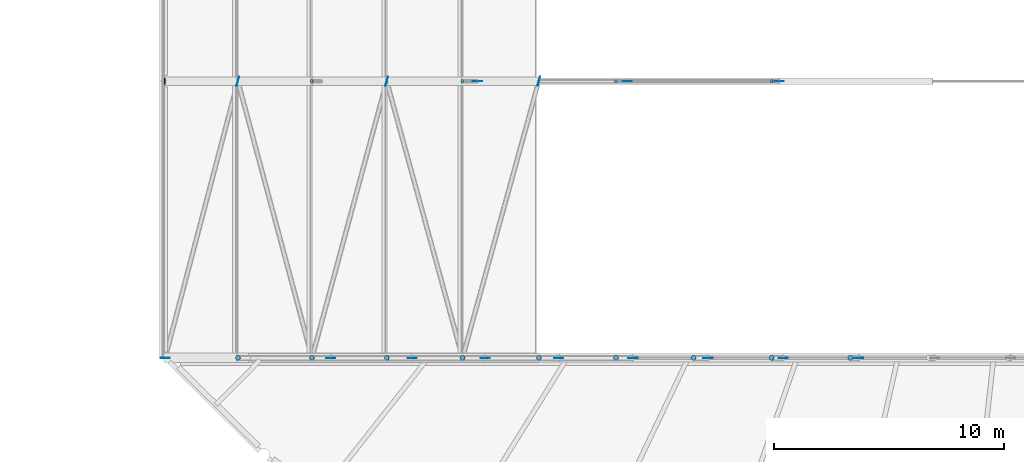
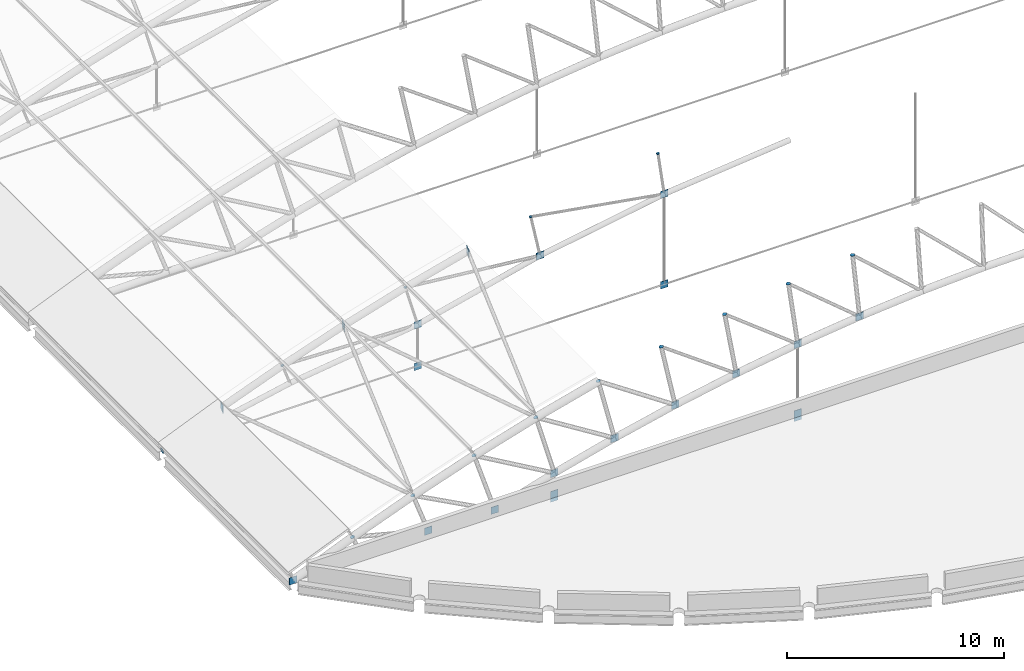
# One storey, part 263 of 321: 35 discrete accessories.
"""IFC4 building model written with IfcOpenShell, lengths in metres."""

import ifcopenshell
import ifcopenshell.guid

model = None  # the IFC model being written
_history = None  # IfcOwnerHistory: only IFC2X3 demands one
_inside = {}  # id of a spatial element -> (the spatial element, [elements in it])
_under = {}  # id of a project, library or spatial element -> (it, [spatial elements below it])
_declared = {}  # id of a project -> (the project, [libraries it declares])
_typed = {}  # id of a type object -> (the type object, [elements of that type])
_made_of = {}  # id of a material, layer set ... -> (it, [elements and type objects made of it])


def new_model(schema):
    """Start an empty IFC model of exactly this schema.

    Asked for "IFC4X3", IfcOpenShell would pick the latest addendum, in which some entities
    have other attributes; the version numbers below select the first issue.
    IFC2X3 requires an IfcOwnerHistory on every rooted entity: one is made here for all.
    """
    global model, _history
    if schema == "IFC4X3":
        model = ifcopenshell.file(schema_version=(4, 3, 0, 0))
    else:
        model = ifcopenshell.file(schema=schema)
    _inside.clear()
    _under.clear()
    _declared.clear()
    _typed.clear()
    _made_of.clear()
    _history = None
    if model.schema == "IFC2X3":
        org = make("IfcOrganization", Name="unknown")
        user = make(
            "IfcPersonAndOrganization",
            ThePerson=make("IfcPerson", FamilyName="unknown"),
            TheOrganization=org,
        )
        app = make(
            "IfcApplication",
            ApplicationDeveloper=org,
            Version="unknown",
            ApplicationFullName="unknown",
            ApplicationIdentifier="unknown",
        )
        _history = make(
            "IfcOwnerHistory",
            OwningUser=user,
            OwningApplication=app,
            ChangeAction="ADDED",
            CreationDate=0,
        )
    return model


def make(cls, **values):
    """One entity of the class cls with the attributes given. An attribute that is None is left unset."""
    return model.create_entity(
        cls, **{name: value for name, value in values.items() if value is not None}
    )


def rooted(cls, **values):
    """An entity with a GlobalId (a new one), such as an element, a storey or a relation."""
    return make(cls, GlobalId=ifcopenshell.guid.new(), OwnerHistory=_history, **values)


def si_unit(unit_type, name, prefix=None):
    """IfcSIUnit, for example si_unit("LENGTHUNIT", "METRE", prefix="MILLI")."""
    return make("IfcSIUnit", UnitType=unit_type, Prefix=prefix, Name=name)


def assignment(units):
    """IfcUnitAssignment: the units of a project."""
    return None if units is None else make("IfcUnitAssignment", Units=units)


def point(xyz):
    """IfcCartesianPoint."""
    return None if xyz is None else make("IfcCartesianPoint", Coordinates=xyz)


def direction(xyz):
    """IfcDirection."""
    return None if xyz is None else make("IfcDirection", DirectionRatios=xyz)


def frame(location, z_axis=None, x_axis=None):
    """IfcAxis2Placement3D, a coordinate frame: its origin and axes. An axis left out is left unset."""
    return make(
        "IfcAxis2Placement3D",
        Location=point(location),
        Axis=direction(z_axis),
        RefDirection=direction(x_axis),
    )


def frame_2d(location, x_axis=None):
    """IfcAxis2Placement2D, a coordinate frame in the plane: its origin and x axis."""
    return make(
        "IfcAxis2Placement2D", Location=point(location), RefDirection=direction(x_axis)
    )


def origin():
    """The frame at (0, 0, 0) with its axes left unset."""
    return frame((0.0, 0.0, 0.0))


def origin_2d():
    """The frame at (0, 0) in the plane with its x axis left unset."""
    return frame_2d((0.0, 0.0))


def place(relative_to, where):
    """IfcLocalPlacement: puts the frame where relative to a parent placement (None: the world)."""
    return make(
        "IfcLocalPlacement", PlacementRelTo=relative_to, RelativePlacement=where
    )


def context(
    kind, dimensions, precision=None, world=None, true_north=None, identifier=None
):
    """IfcGeometricRepresentationContext, for example the 3D "Model" context."""
    return make(
        "IfcGeometricRepresentationContext",
        ContextIdentifier=identifier,
        ContextType=kind,
        CoordinateSpaceDimension=dimensions,
        Precision=precision,
        WorldCoordinateSystem=world,
        TrueNorth=true_north,
    )


def subcontext(parent, identifier, kind, view, scale=None):
    """IfcGeometricRepresentationSubContext, for example "Body" below "Model"."""
    return make(
        "IfcGeometricRepresentationSubContext",
        ContextIdentifier=identifier,
        ContextType=kind,
        ParentContext=parent,
        TargetScale=scale,
        TargetView=view,
    )


def project(units=None, contexts=None):
    """IfcProject with its units and contexts."""
    return rooted(
        "IfcProject",
        Name="project",
        RepresentationContexts=contexts,
        UnitsInContext=assignment(units),
    )


def spatial(cls, under=None, at=None, **own):
    """A site, building, storey or space (cls), placed at a placement, below another one or the project."""
    s = rooted(cls, ObjectPlacement=at, **own)
    if under is not None:
        _under.setdefault(under.id(), (under, []))[1].append(s)
    return s


def profile(cls, at=None, kind="AREA", **sizes):
    """A parametric profile (cls). Its sizes go by their IFC names, for example OverallWidth=200.0."""
    return make(cls, ProfileType=kind, Position=at, **sizes)


def rectangle(**sizes):
    """IfcRectangleProfileDef."""
    return profile("IfcRectangleProfileDef", **sizes)


def circle(**sizes):
    """IfcCircleProfileDef."""
    return profile("IfcCircleProfileDef", **sizes)


def extrude(swept, where, along, depth):
    """IfcExtrudedAreaSolid: the profile swept, set in the frame where, extruded along a direction by depth."""
    return make(
        "IfcExtrudedAreaSolid",
        SweptArea=swept,
        Position=where,
        ExtrudedDirection=direction(along),
        Depth=depth,
    )


def shape(context_of_items, identifier, shape_type, items):
    """IfcShapeRepresentation: the items that make up one representation, for example the "Body"."""
    return make(
        "IfcShapeRepresentation",
        ContextOfItems=context_of_items,
        RepresentationIdentifier=identifier,
        RepresentationType=shape_type,
        Items=items,
    )


def material(Name=None, Category=None):
    """IfcMaterial."""
    return make("IfcMaterial", Name=Name, Category=Category)


def material_profile(
    of_material, cross_section, Name=None, Category=None, Priority=None
):
    """IfcMaterialProfile: a cross section and its material."""
    return make(
        "IfcMaterialProfile",
        Name=Name,
        Material=of_material,
        Profile=cross_section,
        Priority=Priority,
        Category=Category,
    )


def profile_set(profiles, Name=None, composite=None):
    """IfcMaterialProfileSet."""
    return make(
        "IfcMaterialProfileSet",
        Name=Name,
        MaterialProfiles=profiles,
        CompositeProfile=composite,
    )


def made_of(thing, what):
    """Note that an element or type object is made of a material, layer set ...; save() writes the relation."""
    if what is not None:
        _made_of.setdefault(what.id(), (what, []))[1].append(thing)
    return thing


def type_object(cls, material=None, **own):
    """A type object (cls), such as IfcWallType, which elements share."""
    return made_of(rooted(cls, **own), material)


def element(
    cls,
    number,
    at=None,
    inside=None,
    cuts=None,
    type_object=None,
    material=None,
    context=None,
    identifier="Body",
    shape_type=None,
    held_by="IfcProductDefinitionShape",
    body=None,
    shapes=None,
    **own,
):
    """One element of the class cls, such as IfcWall. Its Tag is "e" and its number.

    at: its placement. inside: the storey or other place that contains it. cuts: it is an
    opening in that element (IfcRelVoidsElement). A single representation is given by context,
    identifier, shape_type and body (its items); several are given by shapes. held_by: the class
    of the entity that holds the representations. save() writes the other relations.
    """
    e = rooted(cls, Tag="e%d" % number, ObjectPlacement=at, **own)
    if body is not None:
        shapes = [shape(context, identifier, shape_type, body)]
    if shapes is not None:
        e.Representation = make(held_by, Representations=shapes)
    if inside is not None:
        _inside.setdefault(inside.id(), (inside, []))[1].append(e)
    if cuts is not None:
        rooted(
            "IfcRelVoidsElement", RelatingBuildingElement=cuts, RelatedOpeningElement=e
        )
    if type_object is not None:
        _typed.setdefault(type_object.id(), (type_object, []))[1].append(e)
    return made_of(e, material)


def aggregate(whole, parts):
    """IfcRelAggregates: a whole, such as a stair, and the parts it consists of."""
    return rooted("IfcRelAggregates", RelatingObject=whole, RelatedObjects=parts)


def save(model, path):
    """Write the relations noted so far, then the file.

    IfcRelAggregates (storeys below a building ...), IfcRelContainedInSpatialStructure (elements
    in a storey), IfcRelDefinesByType, IfcRelAssociatesMaterial and IfcRelDeclares: one each for
    every whole, place, type object, material and project.
    """
    for whole, parts in _under.values():
        aggregate(whole, parts)
    for where, things in _inside.values():
        rooted(
            "IfcRelContainedInSpatialStructure",
            RelatedElements=things,
            RelatingStructure=where,
        )
    for kind, things in _typed.values():
        rooted("IfcRelDefinesByType", RelatedObjects=things, RelatingType=kind)
    for what, things in _made_of.values():
        rooted("IfcRelAssociatesMaterial", RelatedObjects=things, RelatingMaterial=what)
    for by, libraries in _declared.values():
        rooted("IfcRelDeclares", RelatingContext=by, RelatedDefinitions=libraries)
    model.write(path)


model = new_model("IFC4")

# Units and contexts
model_context = context("Model", 3, precision=1e-05, world=origin(), true_north=direction((0.0, 1.0)))
body_context = subcontext(model_context, "Body", "Model", "MODEL_VIEW")
ifc_project = project(units=[si_unit("LENGTHUNIT", "METRE"), si_unit("AREAUNIT", "SQUARE_METRE"), si_unit("VOLUMEUNIT", "CUBIC_METRE"), si_unit("PLANEANGLEUNIT", "RADIAN"), si_unit("MASSUNIT", "GRAM", prefix="KILO")], contexts=[model_context])

# Site, building, storey
site_placement = place(None, origin())
site = spatial("IfcSite", under=ifc_project, at=site_placement, CompositionType="ELEMENT")
building_placement = place(site_placement, origin())
building = spatial("IfcBuilding", under=site, at=building_placement, Name="Ravi Spectrum Wholesale Market", CompositionType="ELEMENT")
storey_placement = place(building_placement, frame((0.0, 0.0, 10.800048828125)))
storey = spatial("IfcBuildingStorey", under=building, at=storey_placement, Name="L02", CompositionType="ELEMENT", Elevation=10.800048828125)

# Discrete accessories
ifc_material_1 = material(Name="Steel S355", Category="steel")
ifc_material_profile_1 = material_profile(ifc_material_1, circle(Radius=0.06982421875, at=origin_2d()))
ifc_profile_set_1 = profile_set([ifc_material_profile_1], Name="Steel S355")
discrete_accessory_type_1 = type_object("IfcDiscreteAccessoryType", Name="End plate CHS 139.7x5", PredefinedType="BRACKET", material=ifc_profile_set_1)
for number, where, z_axis, x_axis, name in (
    (1, (36.363037109375, 42.0, 2.56494140625), (-0.346650140872, 0.0, 0.937994498829), (0.0, -1.0, 0.0), "End plate"),
    (2, (42.896240234375, 42.0, 4.661376953125), (-0.266586054538, 0.0, 0.963811120254), (0.0, -1.0, 0.0), "End plate"),
    (3, (49.55859375, 42.0, 6.30224609375), (-0.203954254112, 0.0, 0.978980419738), (0.0, -1.0, 0.0), "End plate"),
    (4, (56.318115234375, 42.0, 7.479736328125), (-0.141421356237, 0.0, 0.989949493661), (0.0, -1.0, 0.0), "End plate"),
):
    element("IfcDiscreteAccessory", number, at=place(storey_placement, frame(where, z_axis=z_axis, x_axis=x_axis)), inside=storey, type_object=discrete_accessory_type_1, Name=name, PredefinedType="BRACKET", context=body_context, shape_type="SweptSolid", body=[
        extrude(circle(Radius=0.06982421875, at=origin_2d()), origin(), (0.0, 0.0, 1.0), 0.011962890625),
    ])
ifc_material_2 = material(Name="Steel S355", Category="steel")
ifc_material_profile_2 = material_profile(ifc_material_2, circle(Radius=0.109619140625, at=origin_2d()))
ifc_profile_set_2 = profile_set([ifc_material_profile_2], Name="Steel S355")
discrete_accessory_type_2 = type_object("IfcDiscreteAccessoryType", Name="End plate CHS 219.1x8", PredefinedType="BRACKET", material=ifc_profile_set_2)
for number, where, z_axis, x_axis, name in (
    (5, (33.163818359375, 30.0, 1.325439453125), (-0.364399348581, 0.0, 0.931242779706), (0.0, -1.0, 0.0), "End plate"),
    (6, (36.37158203125, 30.0, 2.541015625), (-0.346650140872, 0.0, 0.937994498829), (0.0, -1.0, 0.0), "End plate"),
    (7, (39.619384765625, 30.0, 3.645263671875), (-0.304040173793, 0.0, 0.952659211219), (0.0, -1.0, 0.0), "End plate"),
):
    element("IfcDiscreteAccessory", number, at=place(storey_placement, frame(where, z_axis=z_axis, x_axis=x_axis)), inside=storey, type_object=discrete_accessory_type_2, Name=name, PredefinedType="BRACKET", context=body_context, shape_type="SweptSolid", body=[
        extrude(circle(Radius=0.109619140625, at=origin_2d()), origin(), (0.0, 0.0, 1.0), 0.011962890625),
    ])
discrete_accessory_1_placement = place(storey_placement, frame((42.903076171875, 30.0, 4.63671875), z_axis=(-0.261415475728, 0.0, 0.96522637192), x_axis=(0.0, -1.0, 0.0)))
element("IfcDiscreteAccessory", 8, at=discrete_accessory_1_placement, inside=storey, type_object=discrete_accessory_type_2, Name="End plate", PredefinedType="BRACKET", context=body_context, shape_type="SweptSolid", body=[
    extrude(circle(Radius=0.109619140625, at=origin_2d()), origin(), (0.0, 0.0, 1.0), 0.01220703125),
])
for number, where, z_axis, x_axis, name in (
    (9, (46.21923828125, 30.0, 5.514404296875), (-0.223376156329, 0.0, 0.974732318528), (0.0, -1.0, 0.0), "End plate"),
    (10, (49.563720703125, 30.0, 6.27734375), (-0.203954254112, 0.0, 0.978980419738), (0.0, -1.0, 0.0), "End plate"),
    (11, (52.9326171875, 30.0, 6.92431640625), (-0.18428853505, 0.0, 0.982872186934), (0.0, -1.0, 0.0), "End plate"),
    (12, (56.321533203125, 30.0, 7.45458984375), (-0.141421356237, 0.0, 0.989949493661), (0.0, -1.0, 0.0), "End plate"),
    (13, (59.726806640625, 30.0, 7.867919921875), (-0.101513688013, 0.0, 0.994834142531), (0.0, -1.0, 0.0), "End plate"),
):
    element("IfcDiscreteAccessory", number, at=place(storey_placement, frame(where, z_axis=z_axis, x_axis=x_axis)), inside=storey, type_object=discrete_accessory_type_2, Name=name, PredefinedType="BRACKET", context=body_context, shape_type="SweptSolid", body=[
        extrude(circle(Radius=0.109619140625, at=origin_2d()), origin(), (0.0, 0.0, 1.0), 0.011962890625),
    ])
ifc_material_3 = material(Name="Steel S355", Category="steel")
ifc_material_profile_3 = material_profile(ifc_material_3, circle(Radius=0.136474609375, at=origin_2d()))
ifc_profile_set_3 = profile_set([ifc_material_profile_3], Name="Steel S355")
discrete_accessory_type_3 = type_object("IfcDiscreteAccessoryType", Name="End plate CHS 273x10", PredefinedType="BRACKET", material=ifc_profile_set_3)
discrete_accessory_2_placement = place(storey_placement, frame((29.98974609375, 42.0, 0.023193359375), z_axis=(-0.978980419738, 0.0, -0.203954254112), x_axis=(0.0, -1.0, 0.0)))
element("IfcDiscreteAccessory", 14, at=discrete_accessory_2_placement, inside=storey, type_object=discrete_accessory_type_3, Name="End plate", PredefinedType="BRACKET", context=body_context, shape_type="SweptSolid", body=[
    extrude(circle(Radius=0.136474609375, at=origin_2d()), origin(), (0.0, 0.0, 1.0), 0.011962890625),
])
ifc_material_4 = material(Name="Steel S355", Category="steel")
ifc_material_profile_4 = material_profile(ifc_material_4, rectangle(XDim=0.39990234375, YDim=0.02001953125, at=origin_2d()))
ifc_profile_set_4 = profile_set([ifc_material_profile_4], Name="Steel S355")
discrete_accessory_type_4 = type_object("IfcDiscreteAccessoryType", Name="Gusset plate 400x400x20", PredefinedType="BRACKET", material=ifc_profile_set_4)
for number, where, z_axis, x_axis, name in (
    (15, (30.0, 30.0, -0.199951171875), (0.0, 0.0, 1.0), (1.0, 0.0, 0.0), "Gusset plate"),
    (16, (33.154541015625, 42.0, 1.149169921875), (0.0, 0.0, 1.0), (0.254234697305, 0.967142553446, 0.0), "Gusset plate"),
    (17, (37.18310546875, 30.0, 0.08251953125), (0.0, 0.0, 1.0), (1.0, 0.0, 0.0), "Gusset plate"),
    (18, (39.611572265625, 42.0, 3.469482421875), (0.0, 0.0, 1.0), (0.26066352772, 0.965429710189, 0.0), "Gusset plate"),
):
    element("IfcDiscreteAccessory", number, at=place(storey_placement, frame(where, z_axis=z_axis, x_axis=x_axis)), inside=storey, type_object=discrete_accessory_type_4, Name=name, PredefinedType="BRACKET", context=body_context, shape_type="SweptSolid", body=[
        extrude(rectangle(XDim=0.39990234375, YDim=0.02001953125, at=origin_2d()), origin(), (0.0, 0.0, 1.0), 0.39990234375),
    ])
discrete_accessory_3_placement = place(storey_placement, frame((40.71923828125, 30.0, 0.017333984375), z_axis=(0.0, 0.0, 1.0), x_axis=(1.0, 0.0, 0.0)))
element("IfcDiscreteAccessory", 19, at=discrete_accessory_3_placement, inside=storey, type_object=discrete_accessory_type_4, Name="Gusset plate", PredefinedType="BRACKET", context=body_context, shape_type="SweptSolid", body=[
    extrude(rectangle(XDim=0.39990234375, YDim=0.02001953125, at=origin_2d()), origin(), (0.0, 0.0, 1.0), 0.400146484375),
])
for number, where, z_axis, x_axis, name in (
    (20, (43.55029296875, 42.0, -0.1767578125), (0.0, 0.0, 1.0), (1.0, 0.0, 0.0), "Gusset plate"),
    (21, (43.55029296875, 42.0, 2.152099609375), (0.0, 0.0, 1.0), (1.0, 0.0, 0.0), "Gusset plate"),
):
    element("IfcDiscreteAccessory", number, at=place(storey_placement, frame(where, z_axis=z_axis, x_axis=x_axis)), inside=storey, type_object=discrete_accessory_type_4, Name=name, PredefinedType="BRACKET", context=body_context, shape_type="SweptSolid", body=[
        extrude(rectangle(XDim=0.39990234375, YDim=0.02001953125, at=origin_2d()), origin(), (0.0, 0.0, 1.0), 0.39990234375),
    ])
discrete_accessory_4_placement = place(storey_placement, frame((43.88427734375, 30.0, -0.400146484375), z_axis=(0.0, 0.0, 1.0), x_axis=(1.0, 0.0, 0.0)))
element("IfcDiscreteAccessory", 22, at=discrete_accessory_4_placement, inside=storey, type_object=discrete_accessory_type_4, Name="Gusset plate", PredefinedType="BRACKET", context=body_context, shape_type="SweptSolid", body=[
    extrude(rectangle(XDim=0.39990234375, YDim=0.02001953125, at=origin_2d()), origin(), (0.0, 0.0, 1.0), 0.400146484375),
])
for number, where, z_axis, x_axis, name in (
    (23, (43.88427734375, 30.0, -0.199951171875), (0.0, 0.0, 1.0), (1.0, 0.0, 0.0), "Gusset plate"),
    (24, (43.88427734375, 30.0, 0.97314453125), (0.0, 0.0, 1.0), (1.0, 0.0, 0.0), "Gusset plate"),
):
    element("IfcDiscreteAccessory", number, at=place(storey_placement, frame(where, z_axis=z_axis, x_axis=x_axis)), inside=storey, type_object=discrete_accessory_type_4, Name=name, PredefinedType="BRACKET", context=body_context, shape_type="SweptSolid", body=[
        extrude(rectangle(XDim=0.39990234375, YDim=0.02001953125, at=origin_2d()), origin(), (0.0, 0.0, 1.0), 0.39990234375),
    ])
discrete_accessory_5_placement = place(storey_placement, frame((46.213134765625, 42.0, 5.339111328125), z_axis=(0.0, 0.0, 1.0), x_axis=(0.265907436453, 0.963998565994, 0.0)))
element("IfcDiscreteAccessory", 25, at=discrete_accessory_5_placement, inside=storey, type_object=discrete_accessory_type_4, Name="Gusset plate", PredefinedType="BRACKET", context=body_context, shape_type="SweptSolid", body=[
    extrude(rectangle(XDim=0.39990234375, YDim=0.02001953125, at=origin_2d()), origin(), (0.0, 0.0, 1.0), 0.400146484375),
])
for number, where, z_axis, x_axis, name in (
    (26, (47.080322265625, 30.0, 1.819091796875), (0.0, 0.0, 1.0), (1.0, 0.0, 0.0), "Gusset plate"),
    (27, (50.0517578125, 42.0, 3.75341796875), (0.0, 0.0, 1.0), (1.0, 0.0, 0.0), "Gusset plate"),
    (28, (50.3037109375, 30.0, 2.55419921875), (0.0, 0.0, 1.0), (1.0, 0.0, 0.0), "Gusset plate"),
    (29, (53.55029296875, 30.0, 3.177734375), (0.0, 0.0, 1.0), (1.0, 0.0, 0.0), "Gusset plate"),
    (30, (56.648193359375, 42.0, -0.1767578125), (0.0, 0.0, 1.0), (1.0, 0.0, 0.0), "Gusset plate"),
):
    element("IfcDiscreteAccessory", number, at=place(storey_placement, frame(where, z_axis=z_axis, x_axis=x_axis)), inside=storey, type_object=discrete_accessory_type_4, Name=name, PredefinedType="BRACKET", context=body_context, shape_type="SweptSolid", body=[
        extrude(rectangle(XDim=0.39990234375, YDim=0.02001953125, at=origin_2d()), origin(), (0.0, 0.0, 1.0), 0.39990234375),
    ])
for number, where, z_axis, x_axis, name in (
    (31, (56.648193359375, 42.0, 4.902587890625), (0.0, 0.0, 1.0), (1.0, 0.0, 0.0), "Gusset plate"),
    (32, (56.81689453125, 30.0, -0.400146484375), (0.0, 0.0, 1.0), (1.0, 0.0, 0.0), "Gusset plate"),
):
    element("IfcDiscreteAccessory", number, at=place(storey_placement, frame(where, z_axis=z_axis, x_axis=x_axis)), inside=storey, type_object=discrete_accessory_type_4, Name=name, PredefinedType="BRACKET", context=body_context, shape_type="SweptSolid", body=[
        extrude(rectangle(XDim=0.39990234375, YDim=0.02001953125, at=origin_2d()), origin(), (0.0, 0.0, 1.0), 0.400146484375),
    ])
for number, where, z_axis, x_axis, name in (
    (33, (56.81689453125, 30.0, -0.199951171875), (0.0, 0.0, 1.0), (1.0, 0.0, 0.0), "Gusset plate"),
    (34, (56.81689453125, 30.0, 3.68896484375), (0.0, 0.0, 1.0), (1.0, 0.0, 0.0), "Gusset plate"),
    (35, (60.098876953125, 30.0, 4.087158203125), (0.0, 0.0, 1.0), (1.0, 0.0, 0.0), "Gusset plate"),
):
    element("IfcDiscreteAccessory", number, at=place(storey_placement, frame(where, z_axis=z_axis, x_axis=x_axis)), inside=storey, type_object=discrete_accessory_type_4, Name=name, PredefinedType="BRACKET", context=body_context, shape_type="SweptSolid", body=[
        extrude(rectangle(XDim=0.39990234375, YDim=0.02001953125, at=origin_2d()), origin(), (0.0, 0.0, 1.0), 0.39990234375),
    ])

save(model, "model.ifc")
